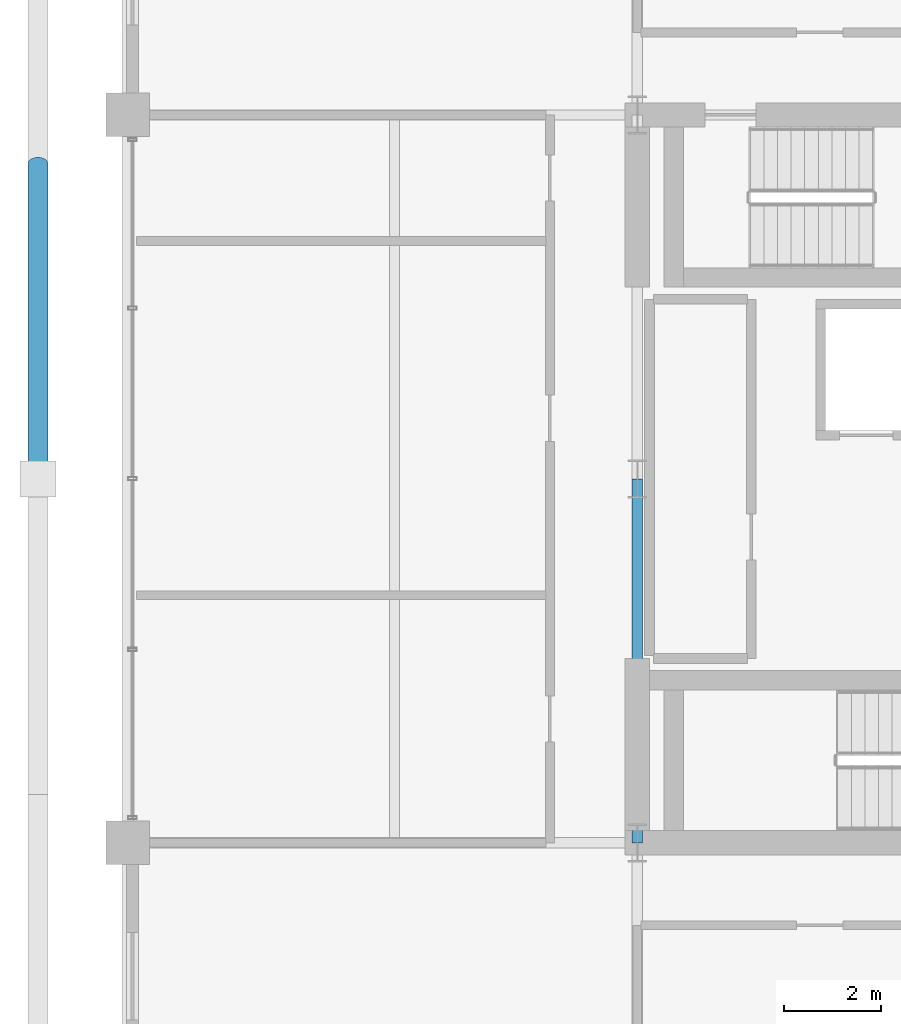
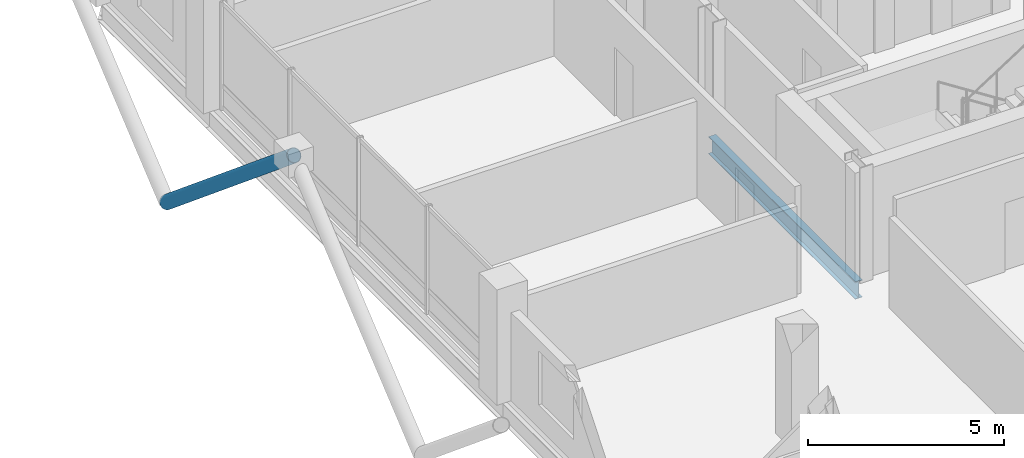
# One storey, part 8 of 22: 1 beam, 1 member.
"""IFC4 building model written with IfcOpenShell, lengths in metres."""

from ifc_helpers import new_model, si_unit, direction, frame, origin, origin_2d, place, context, subcontext, project, spatial, hollow_circle, i_section, extrude, material, material_profile, profile_set, type_object, element, save


model = new_model("IFC4")

# Units and contexts
model_context = context("Model", 3, precision=1e-05, world=origin(), true_north=direction((0.0, 1.0)))
body_context = subcontext(model_context, "Body", "Model", "MODEL_VIEW")
ifc_project = project(units=[si_unit("LENGTHUNIT", "METRE"), si_unit("AREAUNIT", "SQUARE_METRE"), si_unit("VOLUMEUNIT", "CUBIC_METRE"), si_unit("PLANEANGLEUNIT", "RADIAN"), si_unit("MASSUNIT", "GRAM", prefix="KILO")], contexts=[model_context])

# Site, building, storey
site_placement = place(None, origin())
site = spatial("IfcSite", under=ifc_project, at=site_placement, CompositionType="ELEMENT")
building_placement = place(site_placement, origin())
building = spatial("IfcBuilding", under=site, at=building_placement, Name="Barlavira Tower and Art Museum", CompositionType="ELEMENT")
storey_placement = place(building_placement, frame((0.0, 0.0, 269.10009765625)))
storey = spatial("IfcBuildingStorey", under=building, at=storey_placement, Name="L70", CompositionType="ELEMENT", Elevation=269.10009765625)

# Member
ifc_material = material(Name="Steel S355", Category="steel")
ifc_material_profile_1 = material_profile(ifc_material, hollow_circle(Radius=0.203125, WallThickness=0.01611328125, at=origin_2d()), Name="CHS 406.4x16.0")
ifc_profile_set_1 = profile_set([ifc_material_profile_1], Name="Steel S355")
member_type = type_object("IfcMemberType", Name="Pale-Metal Exoskeleton Diagrid Tube CHS 406x16 Steel S355", PredefinedType="BRACE", material=ifc_profile_set_1)
member_placement = place(storey_placement, frame((-18.85009765625, 6.5, -1.920166015625), z_axis=(0.0, -0.76918185268, 0.639029950399), x_axis=(1.0, 0.0, 0.0)))
element("IfcMember", 1, at=member_placement, inside=storey, type_object=member_type, Name="L70 Exoskeleton Diagrid Tube W", PredefinedType="BRACE", context=body_context, shape_type="SweptSolid", body=[
    extrude(hollow_circle(Radius=0.203125, WallThickness=0.01611328125, at=origin_2d()), origin(), (0.0, 0.0, 1.0), 8.450439453125),
])

# Beam
ifc_material_profile_2 = material_profile(ifc_material, i_section(OverallWidth=0.2109375, OverallDepth=0.5390625, WebThickness=0.01171875, FlangeThickness=0.018798828125, at=origin_2d()), Name="W530x109.0")
ifc_profile_set_2 = profile_set([ifc_material_profile_2], Name="Steel S355")
beam_type = type_object("IfcBeamType", Name="Zone 3-4 Primary Floor Girder W530x109 Steel S355", PredefinedType="BEAM", material=ifc_profile_set_2)
beam_placement = place(storey_placement, frame((-6.5, -7.5, -0.489501953125), z_axis=(0.0, 1.0, 0.0), x_axis=(-1.0, 0.0, 0.0)))
element("IfcBeam", 2, at=beam_placement, inside=storey, type_object=beam_type, Name="L70 Girder C-W1", PredefinedType="BEAM", context=body_context, shape_type="SweptSolid", body=[
    extrude(i_section(OverallWidth=0.2109375, OverallDepth=0.5390625, WebThickness=0.01171875, FlangeThickness=0.018798828125, at=origin_2d()), origin(), (0.0, 0.0, 1.0), 7.5),
])

save(model, "model.ifc")
